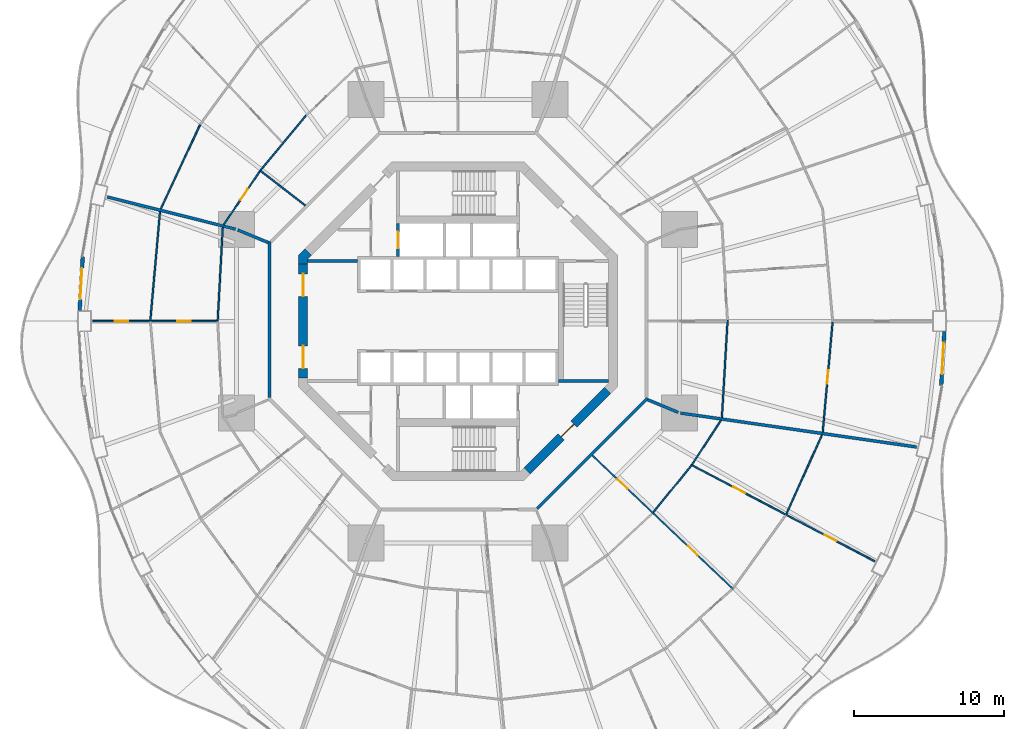
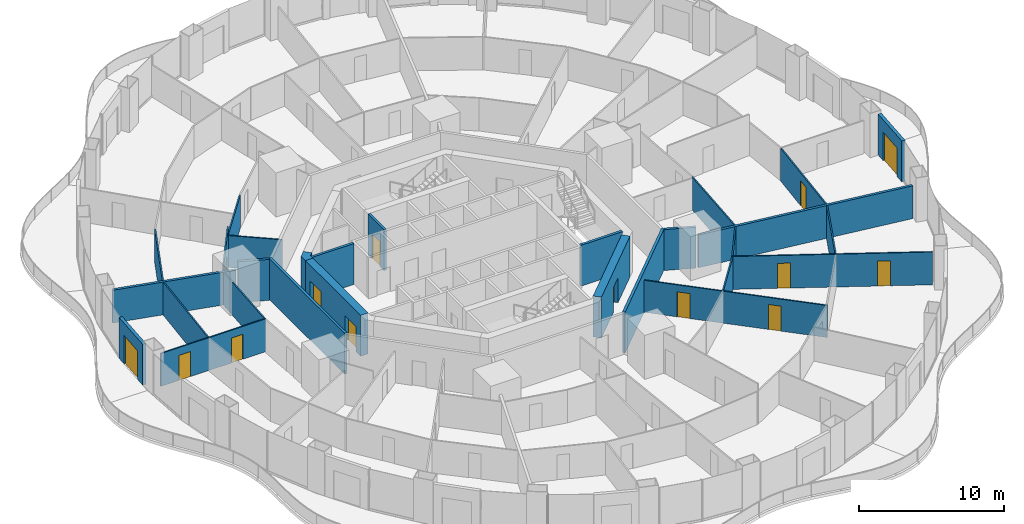
# One storey, part 16 of 22: 28 walls, 14 doors, 14 openings.
"""IFC4 building model written with IfcOpenShell, lengths in metres."""

from ifc_helpers import new_model, si_unit, direction, frame, frame_2d, origin, place, context, subcontext, project, spatial, polyline, rectangle, outline, extrude, material, layer, layer_set, type_object, element, fill, save


model = new_model("IFC4")

# Units and contexts
model_context = context("Model", 3, precision=1e-05, world=origin(), true_north=direction((0.0, 1.0)))
body_context = subcontext(model_context, "Body", "Model", "MODEL_VIEW")
ifc_project = project(units=[si_unit("LENGTHUNIT", "METRE"), si_unit("AREAUNIT", "SQUARE_METRE"), si_unit("VOLUMEUNIT", "CUBIC_METRE"), si_unit("PLANEANGLEUNIT", "RADIAN"), si_unit("MASSUNIT", "GRAM", prefix="KILO")], contexts=[model_context])

# Site, building, storey
site_placement = place(None, origin())
site = spatial("IfcSite", under=ifc_project, at=site_placement, CompositionType="ELEMENT")
building_placement = place(site_placement, origin())
building = spatial("IfcBuilding", under=site, at=building_placement, Name="Nagisa Residences", CompositionType="ELEMENT")
storey_placement = place(building_placement, frame((0.0, 0.0, 30.699951171875)))
storey = spatial("IfcBuildingStorey", under=building, at=storey_placement, Name="L06", CompositionType="ELEMENT", Elevation=30.699951171875)

# Walls
ifc_material_1 = material(Name="Gypsum board on steel studs", Category="steel")
ifc_layer_1 = layer(ifc_material_1, 0.199951171875)
ifc_layer_set_1 = layer_set([ifc_layer_1], Name="Apartment compartment wall EI60 200")
wall_type_1 = type_object("IfcWallType", Name="Apartment compartment wall EI60 200", PredefinedType="PARTITIONING", material=ifc_layer_set_1)
wall_1_placement = place(storey_placement, frame((-12.6572265625, 5.24267578125, 0.0), z_axis=(0.0, 0.0, 1.0), x_axis=(-0.923885664896, 0.382668627144, 0.0)))
element("IfcWall", 1, at=wall_1_placement, inside=storey, type_object=wall_type_1, Name="wall:L06:u02", PredefinedType="PARTITIONING", context=body_context, shape_type="SweptSolid", body=[
    extrude(rectangle(XDim=2.200439453125, YDim=0.199951171875, at=frame_2d((1.10009765625, 0.0))), origin(), (0.0, 0.0, 1.0), 3.43994140625),
])
wall_2_placement = place(storey_placement, frame((-14.83056640625, 6.135009765625, 0.0), z_axis=(0.0, 0.0, 1.0), x_axis=(-0.969884949569, 0.243563512454, 0.0)))
element("IfcWall", 2, at=wall_2_placement, inside=storey, type_object=wall_type_1, Name="wall:L06:u03", PredefinedType="PARTITIONING", context=body_context, shape_type="SweptSolid", body=[
    extrude(rectangle(XDim=8.828857421875, YDim=0.199951171875, at=frame_2d((4.41455078125, 0.0))), origin(), (0.0, 0.0, 1.0), 2.756103515625),
])
wall_3_placement = place(storey_placement, frame((12.6572265625, -5.24267578125, 0.0), z_axis=(0.0, 0.0, 1.0), x_axis=(0.923853160736, -0.382747093259, 0.0)))
element("IfcWall", 3, at=wall_3_placement, inside=storey, type_object=wall_type_1, Name="wall:L06:u06", PredefinedType="PARTITIONING", context=body_context, shape_type="SweptSolid", body=[
    extrude(rectangle(XDim=2.199951171875, YDim=0.199951171875, at=frame_2d((1.10009765625, 0.0))), origin(), (0.0, 0.0, 1.0), 3.43994140625),
])
wall_4_placement = place(storey_placement, frame((14.83154296875, -6.130126953125, 0.0), z_axis=(0.0, 0.0, 1.0), x_axis=(0.989836541293, -0.142209779978, 0.0)))
element("IfcWall", 4, at=wall_4_placement, inside=storey, type_object=wall_type_1, Name="wall:L06:u07", PredefinedType="PARTITIONING", context=body_context, shape_type="SweptSolid", body=[
    extrude(rectangle(XDim=15.9091796875, YDim=0.199951171875, at=frame_2d((7.95458984375, 0.0))), origin(), (0.0, 0.0, 1.0), 2.756103515625),
])
ifc_material_2 = material(Name="Gypsum board on steel studs", Category="steel")
ifc_layer_2 = layer(ifc_material_2, 0.199951171875)
ifc_layer_set_2 = layer_set([ifc_layer_2], Name="Apartment entry wall EI60 200")
wall_type_2 = type_object("IfcWallType", Name="Apartment entry wall EI60 200", PredefinedType="PARTITIONING", material=ifc_layer_set_2)
wall_5_placement = place(storey_placement, frame((-12.564697265625, 5.304443359375, 0.0), z_axis=(0.0, 0.0, 1.0), x_axis=(0.0, -1.0, 0.0)))
element("IfcWall", 5, at=wall_5_placement, inside=storey, type_object=wall_type_2, Name="wall:L06:u12", PredefinedType="PARTITIONING", context=body_context, shape_type="SweptSolid", body=[
    extrude(rectangle(XDim=10.408935546875, YDim=0.199951171875, at=frame_2d((5.20458984375, 0.0))), origin(), (0.0, 0.0, 1.0), 3.43994140625),
])
wall_6_placement = place(storey_placement, frame((5.275146484375, -12.494140625, 0.0), z_axis=(0.0, 0.0, 1.0), x_axis=(0.707106781187, 0.707106781187, 0.0)))
element("IfcWall", 6, at=wall_6_placement, inside=storey, type_object=wall_type_2, Name="wall:L06:u15", PredefinedType="PARTITIONING", context=body_context, shape_type="SweptSolid", body=[
    extrude(rectangle(XDim=10.4091796875, YDim=0.199951171875, at=frame_2d((5.20458984375, 0.0))), origin(), (0.0, 0.0, 1.0), 3.43994140625),
])
ifc_material_3 = material(Name="Gypsum board on steel studs", Category="steel")
ifc_layer_3 = layer(ifc_material_3, 0.10009765625)
ifc_layer_set_3 = layer_set([ifc_layer_3], Name="Apartment partition 100")
wall_type_3 = type_object("IfcWallType", Name="Apartment partition 100", PredefinedType="PARTITIONING", material=ifc_layer_set_3)
wall_7_placement = place(storey_placement, frame((17.977294921875, 0.0498046875, 0.0), z_axis=(0.0, 0.0, 1.0), x_axis=(-0.058516864568, -0.998286420103, 0.0)))
element("IfcWall", 7, at=wall_7_placement, inside=storey, type_object=wall_type_3, Name="wall:L06:u18", PredefinedType="PARTITIONING", context=body_context, shape_type="SweptSolid", body=[
    extrude(rectangle(XDim=6.48779296875, YDim=0.10009765625, at=frame_2d((3.243896484375, 0.0))), origin(), (0.0, 0.0, 1.0), 2.756103515625),
])

# Wall, opening, door
wall_8_placement = place(storey_placement, frame((24.982177734375, -0.0498046875, 0.0), z_axis=(0.0, 0.0, 1.0), x_axis=(-0.08944290521, -0.995991951126, 0.0)))
wall_8 = element("IfcWall", 8, at=wall_8_placement, inside=storey, type_object=wall_type_3, Name="wall:L06:u21", PredefinedType="PARTITIONING", context=body_context, shape_type="SweptSolid", body=[
    extrude(rectangle(XDim=7.37255859375, YDim=0.10009765625, at=frame_2d((3.686279296875, 0.0))), origin(), (0.0, 0.0, 1.0), 2.756103515625),
])
opening_1_placement = place(wall_8_placement, frame((3.236328125, 0.0, 0.0)))
opening_1 = element("IfcOpeningElement", 9, at=opening_1_placement, cuts=wall_8, Name="Opening L06-U12", PredefinedType="OPENING", context=body_context, shape_type="SweptSolid", body=[
    extrude(rectangle(XDim=0.89990234375, YDim=2.10009765625, at=frame_2d((0.449951171875, 1.050048828125))), frame((0.0, 0.06005859375, 0.0), z_axis=(0.0, -1.0, 0.0), x_axis=(1.0, 0.0, 0.0)), (0.0, 0.0, 1.0), 0.1201171875),
])
ifc_material_4 = material(Name="Timber door set", Category="wood")
door_type_1 = type_object("IfcDoorType", Name="Apartment door 900x2100", OperationType="NOTDEFINED", PredefinedType="DOOR", material=ifc_material_4)
door_1_placement = place(opening_1_placement, origin())
door_1 = element("IfcDoor", 10, at=door_1_placement, inside=storey, type_object=door_type_1, Name="Door to living room, Apartment 06A", OperationType="SINGLE_SWING_RIGHT", OverallHeight=2.10009765625, OverallWidth=0.89990234375, PredefinedType="DOOR", context=body_context, shape_type="SweptSolid", body=[
    extrude(rectangle(XDim=0.89990234375, YDim=2.10009765625, at=frame_2d((0.449951171875, 1.050048828125))), frame((0.0, 0.02490234375, 0.0), z_axis=(0.0, -1.0, 0.0), x_axis=(1.0, 0.0, 0.0)), (0.0, 0.0, 1.0), 0.050048828125),
])
fill(opening_1, door_1)

# Walls
wall_9_placement = place(storey_placement, frame((-10.122802734375, 13.719970703125, 0.0), z_axis=(0.0, 0.0, 1.0), x_axis=(-0.64083455704, -0.767679015282, 0.0)))
element("IfcWall", 11, at=wall_9_placement, inside=storey, type_object=wall_type_3, Name="wall:L06:u50", PredefinedType="PARTITIONING", context=body_context, shape_type="SweptSolid", body=[
    extrude(rectangle(XDim=4.8369140625, YDim=0.10009765625, at=frame_2d((2.41845703125, 0.0))), origin(), (0.0, 0.0, 1.0), 2.756103515625),
])
wall_10_placement = place(storey_placement, frame((-10.1904296875, 7.71923828125, 0.0), z_axis=(0.0, 0.0, 1.0), x_axis=(-0.790253294643, 0.612780327937, 0.0)))
element("IfcWall", 12, at=wall_10_placement, inside=storey, type_object=wall_type_3, Name="wall:L06:u53", PredefinedType="PARTITIONING", context=body_context, shape_type="SweptSolid", body=[
    extrude(rectangle(XDim=3.745849609375, YDim=0.10009765625, at=frame_2d((1.873046875, 0.0))), origin(), (0.0, 0.0, 1.0), 2.68701171875),
])

# Wall, opening, door
wall_11_placement = place(storey_placement, frame((-13.21826171875, 10.00390625, 0.0), z_axis=(0.0, 0.0, 1.0), x_axis=(-0.559112679527, -0.829091678641, 0.0)))
wall_11 = element("IfcWall", 13, at=wall_11_placement, inside=storey, type_object=wall_type_3, Name="wall:L06:u54", PredefinedType="PARTITIONING", context=body_context, shape_type="SweptSolid", body=[
    extrude(rectangle(XDim=4.30810546875, YDim=0.10009765625, at=frame_2d((2.154052734375, 0.0))), origin(), (0.0, 0.0, 1.0), 3.43994140625),
])
opening_2_placement = place(wall_11_placement, frame((1.43310546875, 0.0, 0.0)))
opening_2 = element("IfcOpeningElement", 14, at=opening_2_placement, cuts=wall_11, Name="Opening L06-U27", PredefinedType="OPENING", context=body_context, shape_type="SweptSolid", body=[
    extrude(rectangle(XDim=0.89990234375, YDim=2.10009765625, at=frame_2d((0.449951171875, 1.050048828125))), frame((0.0, 0.06005859375, 0.0), z_axis=(0.0, -1.0, 0.0), x_axis=(1.0, 0.0, 0.0)), (0.0, 0.0, 1.0), 0.1201171875),
])
door_2_placement = place(opening_2_placement, origin())
door_2 = element("IfcDoor", 15, at=door_2_placement, inside=storey, type_object=door_type_1, Name="Door to laundry, Apartment 06B", OperationType="SINGLE_SWING_LEFT", OverallHeight=2.10009765625, OverallWidth=0.89990234375, PredefinedType="DOOR", context=body_context, shape_type="SweptSolid", body=[
    extrude(rectangle(XDim=0.89990234375, YDim=2.10009765625, at=frame_2d((0.449951171875, 1.050048828125))), frame((0.0, 0.02490234375, 0.0), z_axis=(0.0, -1.0, 0.0), x_axis=(1.0, 0.0, 0.0)), (0.0, 0.0, 1.0), 0.050048828125),
])
fill(opening_2, door_2)

# Walls
wall_12_placement = place(storey_placement, frame((-17.20263671875, 13.0947265625, 0.0), z_axis=(0.0, 0.0, 1.0), x_axis=(-0.423926333401, -0.905696673202, 0.0)))
element("IfcWall", 16, at=wall_12_placement, inside=storey, type_object=wall_type_3, Name="wall:L06:u55", PredefinedType="PARTITIONING", context=body_context, shape_type="SweptSolid", body=[
    extrude(rectangle(XDim=6.1875, YDim=0.10009765625, at=frame_2d((3.09375, 0.0))), origin(), (0.0, 0.0, 1.0), 2.756103515625),
])
wall_13_placement = place(storey_placement, frame((-15.688232421875, 6.249267578125, 0.0), z_axis=(0.0, 0.0, 1.0), x_axis=(-0.054659814056, -0.998505034903, 0.0)))
element("IfcWall", 17, at=wall_13_placement, inside=storey, type_object=wall_type_3, Name="wall:L06:u56", PredefinedType="PARTITIONING", context=body_context, shape_type="SweptSolid", body=[
    extrude(rectangle(XDim=6.20849609375, YDim=0.10009765625, at=frame_2d((3.104248046875, 0.0))), origin(), (0.0, 0.0, 1.0), 2.756103515625),
])
wall_14_placement = place(storey_placement, frame((-19.876708984375, 7.300537109375, 0.0), z_axis=(0.0, 0.0, 1.0), x_axis=(-0.088143415068, -0.996107794558, 0.0)))
element("IfcWall", 18, at=wall_14_placement, inside=storey, type_object=wall_type_3, Name="wall:L06:u57", PredefinedType="PARTITIONING", context=body_context, shape_type="SweptSolid", body=[
    extrude(rectangle(XDim=7.279052734375, YDim=0.10009765625, at=frame_2d((3.6396484375, 0.0))), origin(), (0.0, 0.0, 1.0), 2.756103515625),
])

# Wall, openings, doors
wall_15_placement = place(storey_placement, frame((-15.980224609375, 0.0, 0.0), z_axis=(0.0, 0.0, 1.0), x_axis=(-1.0, 0.0, 0.0)))
wall_15 = element("IfcWall", 19, at=wall_15_placement, inside=storey, type_object=wall_type_3, Name="wall:L06:u58", PredefinedType="PARTITIONING", context=body_context, shape_type="SweptSolid", body=[
    extrude(rectangle(XDim=8.369873046875, YDim=0.10009765625, at=frame_2d((4.18505859375, 0.0))), origin(), (0.0, 0.0, 1.0), 2.756103515625),
])
opening_3_placement = place(wall_15_placement, frame((6.006103515625, 0.0, 0.0)))
opening_3 = element("IfcOpeningElement", 20, at=opening_3_placement, cuts=wall_15, Name="Opening L06-U37", PredefinedType="OPENING", context=body_context, shape_type="SweptSolid", body=[
    extrude(rectangle(XDim=0.89990234375, YDim=2.10009765625, at=frame_2d((0.449951171875, 1.050048828125))), frame((0.0, 0.06005859375, 0.0), z_axis=(0.0, -1.0, 0.0), x_axis=(1.0, 0.0, 0.0)), (0.0, 0.0, 1.0), 0.1201171875),
])
opening_4_placement = place(wall_15_placement, frame((1.84619140625, 0.0, 0.0)))
opening_4 = element("IfcOpeningElement", 21, at=opening_4_placement, cuts=wall_15, Name="Opening L06-U39", PredefinedType="OPENING", context=body_context, shape_type="SweptSolid", body=[
    extrude(rectangle(XDim=0.89990234375, YDim=2.10009765625, at=frame_2d((0.449951171875, 1.050048828125))), frame((0.0, 0.06005859375, 0.0), z_axis=(0.0, -1.0, 0.0), x_axis=(1.0, 0.0, 0.0)), (0.0, 0.0, 1.0), 0.1201171875),
])
door_3_placement = place(opening_3_placement, frame((0.89990234375, 0.0, 0.0), x_axis=(-1.0, 0.0, 0.0)))
door_3 = element("IfcDoor", 22, at=door_3_placement, inside=storey, type_object=door_type_1, Name="Door to bedroom, Apartment 06C", OperationType="SINGLE_SWING_RIGHT", OverallHeight=2.10009765625, OverallWidth=0.89990234375, PredefinedType="DOOR", context=body_context, shape_type="SweptSolid", body=[
    extrude(rectangle(XDim=0.89990234375, YDim=2.10009765625, at=frame_2d((0.449951171875, 1.050048828125))), frame((0.0, 0.02490234375, 0.0), z_axis=(0.0, -1.0, 0.0), x_axis=(1.0, 0.0, 0.0)), (0.0, 0.0, 1.0), 0.050048828125),
])
fill(opening_3, door_3)
door_4_placement = place(opening_4_placement, frame((0.89990234375, 0.0, 0.0), x_axis=(-1.0, 0.0, 0.0)))
door_4 = element("IfcDoor", 23, at=door_4_placement, inside=storey, type_object=door_type_1, Name="Door to kitchen, Apartment 06C", OperationType="SINGLE_SWING_RIGHT", OverallHeight=2.10009765625, OverallWidth=0.89990234375, PredefinedType="DOOR", context=body_context, shape_type="SweptSolid", body=[
    extrude(rectangle(XDim=0.89990234375, YDim=2.10009765625, at=frame_2d((0.449951171875, 1.050048828125))), frame((0.0, 0.02490234375, 0.0), z_axis=(0.0, -1.0, 0.0), x_axis=(1.0, 0.0, 0.0)), (0.0, 0.0, 1.0), 0.050048828125),
])
fill(opening_4, door_4)

wall_16_placement = place(storey_placement, frame((8.95703125, -8.953369140625, 0.0), z_axis=(0.0, 0.0, 1.0), x_axis=(0.725250022034, -0.688485588476, 0.0)))
wall_16 = element("IfcWall", 24, at=wall_16_placement, inside=storey, type_object=wall_type_3, Name="wall:L06:u86", PredefinedType="PARTITIONING", context=body_context, shape_type="SweptSolid", body=[
    extrude(rectangle(XDim=12.962646484375, YDim=0.10009765625, at=frame_2d((6.4814453125, 0.0))), origin(), (0.0, 0.0, 1.0), 2.68701171875),
])
opening_5_placement = place(wall_16_placement, frame((2.33349609375, 0.0, 0.0)))
opening_5 = element("IfcOpeningElement", 25, at=opening_5_placement, cuts=wall_16, Name="Opening L06-U43", PredefinedType="OPENING", context=body_context, shape_type="SweptSolid", body=[
    extrude(rectangle(XDim=0.89990234375, YDim=2.10009765625, at=frame_2d((0.449951171875, 1.050048828125))), frame((0.0, 0.06005859375, 0.0), z_axis=(0.0, -1.0, 0.0), x_axis=(1.0, 0.0, 0.0)), (0.0, 0.0, 1.0), 0.1201171875),
])
opening_6_placement = place(wall_16_placement, frame((8.78955078125, 0.0, 0.0)))
opening_6 = element("IfcOpeningElement", 26, at=opening_6_placement, cuts=wall_16, Name="Opening L06-U47", PredefinedType="OPENING", context=body_context, shape_type="SweptSolid", body=[
    extrude(rectangle(XDim=0.89990234375, YDim=2.10009765625, at=frame_2d((0.449951171875, 1.050048828125))), frame((0.0, 0.06005859375, 0.0), z_axis=(0.0, -1.0, 0.0), x_axis=(1.0, 0.0, 0.0)), (0.0, 0.0, 1.0), 0.1201171875),
])
door_5_placement = place(opening_5_placement, origin())
door_5 = element("IfcDoor", 27, at=door_5_placement, inside=storey, type_object=door_type_1, Name="Door to laundry, Apartment 06D", OperationType="SINGLE_SWING_LEFT", OverallHeight=2.10009765625, OverallWidth=0.89990234375, PredefinedType="DOOR", context=body_context, shape_type="SweptSolid", body=[
    extrude(rectangle(XDim=0.89990234375, YDim=2.10009765625, at=frame_2d((0.449951171875, 1.050048828125))), frame((0.0, 0.02490234375, 0.0), z_axis=(0.0, -1.0, 0.0), x_axis=(1.0, 0.0, 0.0)), (0.0, 0.0, 1.0), 0.050048828125),
])
fill(opening_5, door_5)
door_6_placement = place(opening_6_placement, origin())
door_6 = element("IfcDoor", 28, at=door_6_placement, inside=storey, type_object=door_type_1, Name="Door to study, Apartment 06D", OperationType="SINGLE_SWING_LEFT", OverallHeight=2.10009765625, OverallWidth=0.89990234375, PredefinedType="DOOR", context=body_context, shape_type="SweptSolid", body=[
    extrude(rectangle(XDim=0.89990234375, YDim=2.10009765625, at=frame_2d((0.449951171875, 1.050048828125))), frame((0.0, 0.02490234375, 0.0), z_axis=(0.0, -1.0, 0.0), x_axis=(1.0, 0.0, 0.0)), (0.0, 0.0, 1.0), 0.050048828125),
])
fill(opening_6, door_6)

# Wall
wall_17_placement = place(storey_placement, frame((13.02587890625, -12.747314453125, 0.0), z_axis=(0.0, 0.0, 1.0), x_axis=(0.630126826288, 0.776492229705, 0.0)))
element("IfcWall", 29, at=wall_17_placement, inside=storey, type_object=wall_type_3, Name="wall:L06:u87", PredefinedType="PARTITIONING", context=body_context, shape_type="SweptSolid", body=[
    extrude(rectangle(XDim=4.006591796875, YDim=0.10009765625, at=frame_2d((2.00341796875, 0.0))), origin(), (0.0, 0.0, 1.0), 2.756103515625),
])

# Wall, openings, doors
wall_18_placement = place(storey_placement, frame((15.537841796875, -9.57421875, 0.0), z_axis=(0.0, 0.0, 1.0), x_axis=(0.885181406501, -0.465246039838, 0.0)))
wall_18 = element("IfcWall", 30, at=wall_18_placement, inside=storey, type_object=wall_type_3, Name="wall:L06:u89", PredefinedType="PARTITIONING", context=body_context, shape_type="SweptSolid", body=[
    extrude(rectangle(XDim=13.836669921875, YDim=0.10009765625, at=frame_2d((6.91845703125, 0.0))), origin(), (0.0, 0.0, 1.0), 2.756103515625),
])
opening_7_placement = place(wall_18_placement, frame((3.156494140625, 0.0, 0.0)))
opening_7 = element("IfcOpeningElement", 31, at=opening_7_placement, cuts=wall_18, Name="Opening L06-U48", PredefinedType="OPENING", context=body_context, shape_type="SweptSolid", body=[
    extrude(rectangle(XDim=0.89990234375, YDim=2.10009765625, at=frame_2d((0.449951171875, 1.050048828125))), frame((0.0, 0.06005859375, 0.0), z_axis=(0.0, -1.0, 0.0), x_axis=(1.0, 0.0, 0.0)), (0.0, 0.0, 1.0), 0.1201171875),
])
opening_8_placement = place(wall_18_placement, frame((10.050048828125, 0.0, 0.0)))
opening_8 = element("IfcOpeningElement", 32, at=opening_8_placement, cuts=wall_18, Name="Opening L06-U54", PredefinedType="OPENING", context=body_context, shape_type="SweptSolid", body=[
    extrude(rectangle(XDim=0.89990234375, YDim=2.10009765625, at=frame_2d((0.449951171875, 1.050048828125))), frame((0.0, 0.06005859375, 0.0), z_axis=(0.0, -1.0, 0.0), x_axis=(1.0, 0.0, 0.0)), (0.0, 0.0, 1.0), 0.1201171875),
])
door_7_placement = place(opening_7_placement, origin())
door_7 = element("IfcDoor", 33, at=door_7_placement, inside=storey, type_object=door_type_1, Name="Door to kitchen, Apartment 06D", OperationType="SINGLE_SWING_RIGHT", OverallHeight=2.10009765625, OverallWidth=0.89990234375, PredefinedType="DOOR", context=body_context, shape_type="SweptSolid", body=[
    extrude(rectangle(XDim=0.89990234375, YDim=2.10009765625, at=frame_2d((0.449951171875, 1.050048828125))), frame((0.0, 0.02490234375, 0.0), z_axis=(0.0, -1.0, 0.0), x_axis=(1.0, 0.0, 0.0)), (0.0, 0.0, 1.0), 0.050048828125),
])
fill(opening_7, door_7)
door_8_placement = place(opening_8_placement, origin())
door_8 = element("IfcDoor", 34, at=door_8_placement, inside=storey, type_object=door_type_1, Name="Door to master bedroom, Apartment 06D", OperationType="SINGLE_SWING_RIGHT", OverallHeight=2.10009765625, OverallWidth=0.89990234375, PredefinedType="DOOR", context=body_context, shape_type="SweptSolid", body=[
    extrude(rectangle(XDim=0.89990234375, YDim=2.10009765625, at=frame_2d((0.449951171875, 1.050048828125))), frame((0.0, 0.02490234375, 0.0), z_axis=(0.0, -1.0, 0.0), x_axis=(1.0, 0.0, 0.0)), (0.0, 0.0, 1.0), 0.050048828125),
])
fill(opening_8, door_8)

# Walls
wall_19_placement = place(storey_placement, frame((15.609375, -9.5556640625, 0.0), z_axis=(0.0, 0.0, 1.0), x_axis=(0.547637987196, 0.836715384692, 0.0)))
element("IfcWall", 35, at=wall_19_placement, inside=storey, type_object=wall_type_3, Name="wall:L06:u90", PredefinedType="PARTITIONING", context=body_context, shape_type="SweptSolid", body=[
    extrude(rectangle(XDim=3.52001953125, YDim=0.10009765625, at=frame_2d((1.760009765625, 0.0))), origin(), (0.0, 0.0, 1.0), 2.756103515625),
])
wall_20_placement = place(storey_placement, frame((21.89892578125, -12.861328125, 0.0), z_axis=(0.0, 0.0, 1.0), x_axis=(0.410201529109, 0.911994904326, 0.0)))
element("IfcWall", 36, at=wall_20_placement, inside=storey, type_object=wall_type_3, Name="wall:L06:u91", PredefinedType="PARTITIONING", context=body_context, shape_type="SweptSolid", body=[
    extrude(rectangle(XDim=5.786865234375, YDim=0.10009765625, at=frame_2d((2.8935546875, 0.0))), origin(), (0.0, 0.0, 1.0), 2.756103515625),
])

# Wall, opening, door
ifc_material_5 = material(Name="Precast concrete C40/50", Category="concrete")
ifc_layer_4 = layer(ifc_material_5, 0.25)
ifc_layer_set_4 = layer_set([ifc_layer_4], Name="BALCONY DOOR WALL 250")
wall_type_4 = type_object("IfcWallType", Name="BALCONY DOOR WALL 250", PredefinedType="SOLIDWALL", material=ifc_layer_set_4)
wall_21_placement = place(storey_placement, frame((-25.23486328125, 0.691650390625, 0.0), z_axis=(0.0, 0.0, 1.0), x_axis=(0.057478727308, 0.998346731305, 0.0)))
wall_21 = element("IfcWall", 37, at=wall_21_placement, inside=storey, type_object=wall_type_4, Name="wall:L06:bay23", PredefinedType="SOLIDWALL", context=body_context, shape_type="SweptSolid", body=[
    extrude(rectangle(XDim=3.614501953125, YDim=0.25, at=frame_2d((1.80712890625, 0.0))), origin(), (0.0, 0.0, 1.0), 3.43994140625),
])
opening_9_placement = place(wall_21_placement, frame((0.75732421875, 0.0, 0.0)))
opening_9 = element("IfcOpeningElement", 38, at=opening_9_placement, cuts=wall_21, Name="Opening BD-L06-08", PredefinedType="OPENING", context=body_context, shape_type="SweptSolid", body=[
    extrude(rectangle(XDim=2.10009765625, YDim=2.39990234375, at=frame_2d((1.050048828125, 1.199951171875))), frame((0.0, 0.135009765625, 0.0), z_axis=(0.0, -1.0, 0.0), x_axis=(1.0, 0.0, 0.0)), (0.0, 0.0, 1.0), 0.27001953125),
])
ifc_material_6 = material(Name="Aluminium and clear glass", Category="aluminium")
door_type_2 = type_object("IfcDoorType", Name="BALCONY SLIDING DOOR 2100x2400", OperationType="SLIDING_TO_LEFT", PredefinedType="DOOR", material=ifc_material_6)
door_9_placement = place(opening_9_placement, origin())
door_9 = element("IfcDoor", 39, at=door_9_placement, inside=storey, type_object=door_type_2, Name="door:L06:bay23", OperationType="SLIDING_TO_LEFT", OverallHeight=2.39990234375, OverallWidth=2.10009765625, PredefinedType="DOOR", context=body_context, shape_type="SweptSolid", body=[
    extrude(rectangle(XDim=2.10009765625, YDim=2.39990234375, at=frame_2d((1.050048828125, 1.199951171875))), frame((0.0, 0.02490234375, 0.0), z_axis=(0.0, -1.0, 0.0), x_axis=(1.0, 0.0, 0.0)), (0.0, 0.0, 1.0), 0.050048828125),
])
fill(opening_9, door_9)

wall_22_placement = place(storey_placement, frame((32.43505859375, -0.691650390625, 0.0), z_axis=(0.0, 0.0, 1.0), x_axis=(-0.057546046339, -0.998342853208, 0.0)))
wall_22 = element("IfcWall", 40, at=wall_22_placement, inside=storey, type_object=wall_type_4, Name="wall:L06:bay47", PredefinedType="SOLIDWALL", context=body_context, shape_type="SweptSolid", body=[
    extrude(rectangle(XDim=3.61474609375, YDim=0.25, at=frame_2d((1.807373046875, 0.0))), origin(), (0.0, 0.0, 1.0), 3.43994140625),
])
opening_10_placement = place(wall_22_placement, frame((0.75732421875, 0.0, 0.0)))
opening_10 = element("IfcOpeningElement", 41, at=opening_10_placement, cuts=wall_22, Name="Opening BD-L06-16", PredefinedType="OPENING", context=body_context, shape_type="SweptSolid", body=[
    extrude(rectangle(XDim=2.10009765625, YDim=2.39990234375, at=frame_2d((1.050048828125, 1.199951171875))), frame((0.0, 0.135009765625, 0.0), z_axis=(0.0, -1.0, 0.0), x_axis=(1.0, 0.0, 0.0)), (0.0, 0.0, 1.0), 0.27001953125),
])
door_10_placement = place(opening_10_placement, origin())
door_10 = element("IfcDoor", 42, at=door_10_placement, inside=storey, type_object=door_type_2, Name="door:L06:bay47", OperationType="SLIDING_TO_LEFT", OverallHeight=2.39990234375, OverallWidth=2.10009765625, PredefinedType="DOOR", context=body_context, shape_type="SweptSolid", body=[
    extrude(rectangle(XDim=2.10009765625, YDim=2.39990234375, at=frame_2d((1.050048828125, 1.199951171875))), frame((0.0, 0.02490234375, 0.0), z_axis=(0.0, -1.0, 0.0), x_axis=(1.0, 0.0, 0.0)), (0.0, 0.0, 1.0), 0.050048828125),
])
fill(opening_10, door_10)

# Wall
ifc_material_7 = material(Name="Gypsum board on steel studs", Category="steel")
ifc_layer_5 = layer(ifc_material_7, 0.199951171875)
ifc_layer_set_5 = layer_set([ifc_layer_5], Name="Core partition 200")
wall_type_5 = type_object("IfcWallType", Name="Core partition 200", PredefinedType="PARTITIONING", material=ifc_layer_set_5)
wall_23_placement = place(storey_placement, frame((-10.024658203125, 4.0, 0.0), z_axis=(0.0, 0.0, 1.0), x_axis=(1.0, 0.0, 0.0)))
element("IfcWall", 43, at=wall_23_placement, inside=storey, type_object=wall_type_5, Name="wall:L06:PNW", PredefinedType="PARTITIONING", context=body_context, shape_type="SweptSolid", body=[
    extrude(rectangle(XDim=3.32470703125, YDim=0.199951171875, at=frame_2d((1.662353515625, 0.0))), origin(), (0.0, 0.0, 1.0), 3.43994140625),
])

# Wall, openings, doors
ifc_material_8 = material(Name="Concrete C60", Category="concrete")
ifc_layer_6 = layer(ifc_material_8, 0.60009765625)
ifc_layer_set_6 = layer_set([ifc_layer_6], Name="Core shear wall 600")
wall_type_6 = type_object("IfcWallType", Name="Core shear wall 600", PredefinedType="SHEAR", material=ifc_layer_set_6)
wall_24_placement = place(storey_placement, frame((-10.32470703125, 3.80078125, 0.0), z_axis=(0.0, 0.0, 1.0), x_axis=(0.0, -1.0, 0.0)))
wall_24 = element("IfcWall", 44, at=wall_24_placement, inside=storey, type_object=wall_type_6, Name="wall:L06:core:flat4", PredefinedType="SHEAR", context=body_context, shape_type="SweptSolid", body=[
    extrude(rectangle(XDim=7.6015625, YDim=0.60009765625, at=frame_2d((3.80078125, 0.0))), origin(), (0.0, 0.0, 1.0), 3.43994140625),
])
opening_11_placement = place(wall_24_placement, frame((0.65087890625, 0.0, 0.0)))
opening_11 = element("IfcOpeningElement", 45, at=opening_11_placement, cuts=wall_24, Name="Opening L06-C19", PredefinedType="OPENING", context=body_context, shape_type="SweptSolid", body=[
    extrude(rectangle(XDim=1.5, YDim=2.10009765625, at=frame_2d((0.75, 1.050048828125))), frame((0.0, 0.31005859375, 0.0), z_axis=(0.0, -1.0, 0.0), x_axis=(1.0, 0.0, 0.0)), (0.0, 0.0, 1.0), 0.6201171875),
])
opening_12_placement = place(wall_24_placement, frame((5.450927734375, 0.0, 0.0)))
opening_12 = element("IfcOpeningElement", 46, at=opening_12_placement, cuts=wall_24, Name="Opening L06-C20", PredefinedType="OPENING", context=body_context, shape_type="SweptSolid", body=[
    extrude(rectangle(XDim=1.5, YDim=2.10009765625, at=frame_2d((0.75, 1.050048828125))), frame((0.0, 0.31005859375, 0.0), z_axis=(0.0, -1.0, 0.0), x_axis=(1.0, 0.0, 0.0)), (0.0, 0.0, 1.0), 0.6201171875),
])
ifc_material_9 = material(Name="Steel fire door", Category="steel")
door_type_3 = type_object("IfcDoorType", Name="Fire door EI60 1500x2100 double door single swing", OperationType="DOUBLE_DOOR_SINGLE_SWING", PredefinedType="DOOR", material=ifc_material_9)
door_11_placement = place(opening_11_placement, origin())
door_11 = element("IfcDoor", 47, at=door_11_placement, inside=storey, type_object=door_type_3, Name="Lift lobby door L06 1", OperationType="DOUBLE_DOOR_SINGLE_SWING", OverallHeight=2.10009765625, OverallWidth=1.5, PredefinedType="DOOR", context=body_context, shape_type="SweptSolid", body=[
    extrude(rectangle(XDim=1.5, YDim=2.10009765625, at=frame_2d((0.75, 1.050048828125))), frame((0.0, 0.02490234375, 0.0), z_axis=(0.0, -1.0, 0.0), x_axis=(1.0, 0.0, 0.0)), (0.0, 0.0, 1.0), 0.050048828125),
])
fill(opening_11, door_11)
door_12_placement = place(opening_12_placement, origin())
door_12 = element("IfcDoor", 48, at=door_12_placement, inside=storey, type_object=door_type_3, Name="Lift lobby door L06 2", OperationType="DOUBLE_DOOR_SINGLE_SWING", OverallHeight=2.10009765625, OverallWidth=1.5, PredefinedType="DOOR", context=body_context, shape_type="SweptSolid", body=[
    extrude(rectangle(XDim=1.5, YDim=2.10009765625, at=frame_2d((0.75, 1.050048828125))), frame((0.0, 0.02490234375, 0.0), z_axis=(0.0, -1.0, 0.0), x_axis=(1.0, 0.0, 0.0)), (0.0, 0.0, 1.0), 0.050048828125),
])
fill(opening_12, door_12)

# Wall, opening, door
wall_25_placement = place(storey_placement, frame((4.613037109375, -9.98828125, 0.0), z_axis=(0.0, 0.0, 1.0), x_axis=(0.707106781187, 0.707106781187, 0.0)))
wall_25 = element("IfcWall", 49, at=wall_25_placement, inside=storey, type_object=wall_type_6, Name="wall:L06:core:flat7", PredefinedType="SHEAR", context=body_context, shape_type="SweptSolid", body=[
    extrude(rectangle(XDim=7.601806640625, YDim=0.60009765625, at=frame_2d((3.80078125, 0.0))), origin(), (0.0, 0.0, 1.0), 3.43994140625),
])
opening_13_placement = place(wall_25_placement, frame((3.200927734375, 0.0, 0.0)))
opening_13 = element("IfcOpeningElement", 50, at=opening_13_placement, cuts=wall_25, Name="Opening L06-C18", PredefinedType="OPENING", context=body_context, shape_type="SweptSolid", body=[
    extrude(rectangle(XDim=1.199951171875, YDim=2.10009765625, at=frame_2d((0.60009765625, 1.050048828125))), frame((0.0, 0.31005859375, 0.0), z_axis=(0.0, -1.0, 0.0), x_axis=(1.0, 0.0, 0.0)), (0.0, 0.0, 1.0), 0.6201171875),
])
ifc_material_10 = material(Name="Steel fire door", Category="steel")
door_type_4 = type_object("IfcDoorType", Name="Fire door EI60 1200x2100 single swing", OperationType="NOTDEFINED", PredefinedType="DOOR", material=ifc_material_10)
door_13_placement = place(opening_13_placement, origin())
door_13 = element("IfcDoor", 51, at=door_13_placement, inside=storey, type_object=door_type_4, Name="Firefighting lobby 2 door L06", OperationType="SINGLE_SWING_RIGHT", OverallHeight=2.10009765625, OverallWidth=1.199951171875, PredefinedType="DOOR", context=body_context, shape_type="SweptSolid", body=[
    extrude(rectangle(XDim=1.199951171875, YDim=2.10009765625, at=frame_2d((0.60009765625, 1.050048828125))), frame((0.0, 0.02490234375, 0.0), z_axis=(0.0, -1.0, 0.0), x_axis=(1.0, 0.0, 0.0)), (0.0, 0.0, 1.0), 0.050048828125),
])
fill(opening_13, door_13)

# Wall
wall_26_placement = place(storey_placement, origin())
element("IfcWall", 52, at=wall_26_placement, inside=storey, type_object=wall_type_6, Name="wall:L06:core:pier3", PredefinedType="SHEAR", context=body_context, shape_type="SweptSolid", body=[
    extrude(outline(polyline([(-10.200439453125, 4.8251953125), (-9.776123046875, 4.40087890625), (-10.024658203125, 4.15234375), (-10.024658203125, 3.80078125), (-10.62451171875, 3.80078125), (-10.62451171875, 4.40087890625), (-10.200439453125, 4.8251953125)])), origin(), (0.0, 0.0, 1.0), 3.43994140625),
])

# Wall, opening, door
ifc_material_11 = material(Name="Concrete C60", Category="concrete")
ifc_layer_7 = layer(ifc_material_11, 0.199951171875)
ifc_layer_set_7 = layer_set([ifc_layer_7], Name="Lift shaft wall 200")
wall_type_7 = type_object("IfcWallType", Name="Lift shaft wall 200", PredefinedType="SOLIDWALL", material=ifc_layer_set_7)
wall_27_placement = place(storey_placement, frame((-4.0, 4.300048828125, 0.0), z_axis=(0.0, 0.0, 1.0), x_axis=(0.0, 1.0, 0.0)))
wall_27 = element("IfcWall", 53, at=wall_27_placement, inside=storey, type_object=wall_type_7, Name="wall:L06:Nb4", PredefinedType="SOLIDWALL", context=body_context, shape_type="SweptSolid", body=[
    extrude(rectangle(XDim=2.199951171875, YDim=0.199951171875, at=frame_2d((1.10009765625, 0.0))), origin(), (0.0, 0.0, 1.0), 3.43994140625),
])
opening_14_placement = place(wall_27_placement, frame((0.550048828125, 0.0, 0.0)))
opening_14 = element("IfcOpeningElement", 54, at=opening_14_placement, cuts=wall_27, Name="Opening L06-C08", PredefinedType="OPENING", context=body_context, shape_type="SweptSolid", body=[
    extrude(rectangle(XDim=1.10009765625, YDim=2.10009765625, at=frame_2d((0.550048828125, 1.050048828125))), frame((0.0, 0.10986328125, 0.0), z_axis=(0.0, -1.0, 0.0), x_axis=(1.0, 0.0, 0.0)), (0.0, 0.0, 1.0), 0.219970703125),
])
ifc_material_12 = material(Name="Stainless steel", Category="steel")
door_type_5 = type_object("IfcDoorType", Name="Lift landing door 1100x2100", OperationType="DOUBLE_DOOR_SLIDING", PredefinedType="DOOR", material=ifc_material_12)
door_14_placement = place(opening_14_placement, origin())
door_14 = element("IfcDoor", 55, at=door_14_placement, inside=storey, type_object=door_type_5, Name="Landing door SV L06", OperationType="DOUBLE_DOOR_SLIDING", OverallHeight=2.10009765625, OverallWidth=1.10009765625, PredefinedType="DOOR", context=body_context, shape_type="SweptSolid", body=[
    extrude(rectangle(XDim=1.10009765625, YDim=2.10009765625, at=frame_2d((0.550048828125, 1.050048828125))), frame((0.0, 0.02490234375, 0.0), z_axis=(0.0, -1.0, 0.0), x_axis=(1.0, 0.0, 0.0)), (0.0, 0.0, 1.0), 0.050048828125),
])
fill(opening_14, door_14)

# Wall
ifc_material_13 = material(Name="Concrete C60", Category="concrete")
ifc_layer_8 = layer(ifc_material_13, 0.199951171875)
ifc_layer_set_8 = layer_set([ifc_layer_8], Name="Stair enclosure wall 200")
wall_type_8 = type_object("IfcWallType", Name="Stair enclosure wall 200", PredefinedType="SOLIDWALL", material=ifc_layer_set_8)
wall_28_placement = place(storey_placement, origin())
element("IfcWall", 56, at=wall_28_placement, inside=storey, type_object=wall_type_8, Name="wall:L06:SE_s", PredefinedType="SOLIDWALL", context=body_context, shape_type="SweptSolid", body=[
    extrude(outline(polyline([(10.024658203125, -4.10009765625), (6.699951171875, -4.10009765625), (6.699951171875, -3.89990234375), (10.024658203125, -3.89990234375), (10.024658203125, -4.10009765625)])), origin(), (0.0, 0.0, 1.0), 3.43994140625),
])

save(model, "model.ifc")
